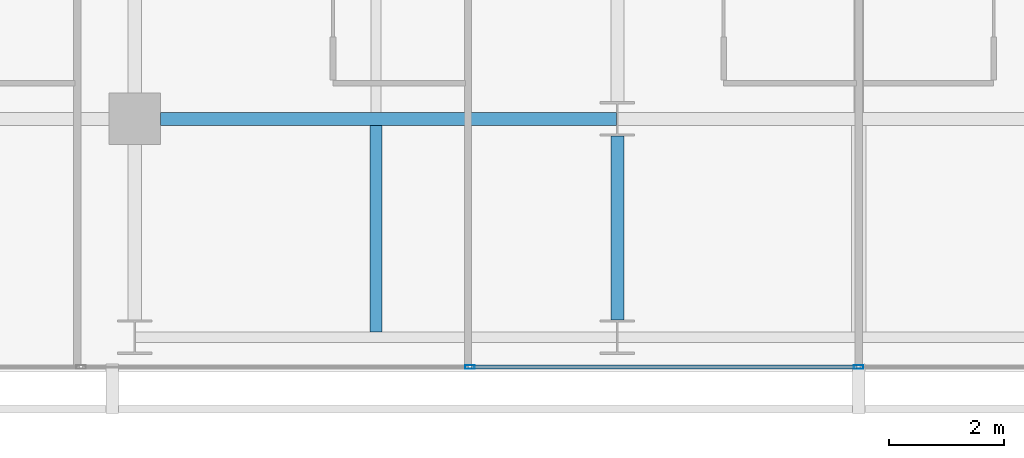
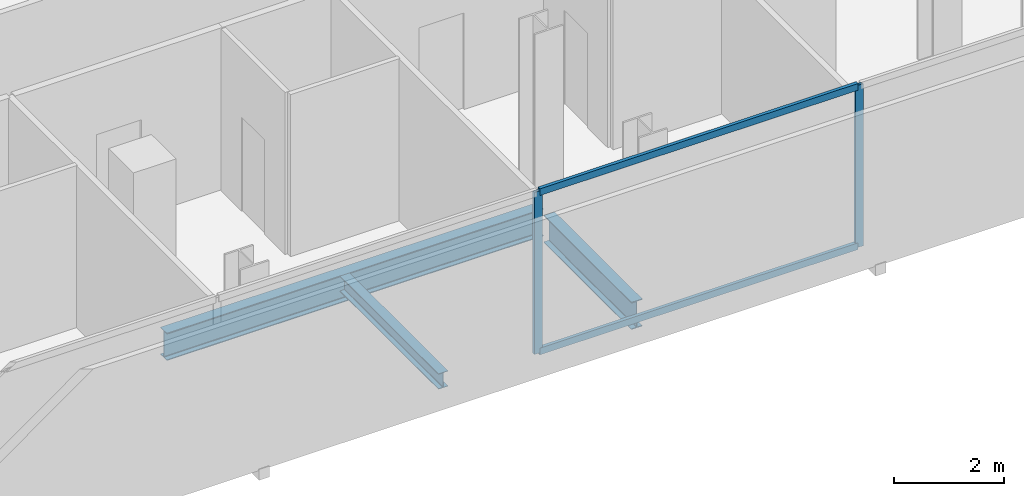
# One storey, part 6 of 33: 4 members, 3 beams, 1 element without a shape of its own.
"""IFC4 building model written with IfcOpenShell, lengths in metres."""

from ifc_helpers import new_model, si_unit, direction, frame, origin, origin_2d, place, context, subcontext, project, spatial, hollow_rectangle, i_section, extrude, material, layer, layer_set, material_profile, profile_set, type_object, element, aggregate, save


model = new_model("IFC4")

# Units and contexts
model_context = context("Model", 3, precision=1e-05, world=origin(), true_north=direction((0.0, 1.0)))
body_context = subcontext(model_context, "Body", "Model", "MODEL_VIEW")
ifc_project = project(units=[si_unit("LENGTHUNIT", "METRE"), si_unit("AREAUNIT", "SQUARE_METRE"), si_unit("VOLUMEUNIT", "CUBIC_METRE"), si_unit("PLANEANGLEUNIT", "RADIAN"), si_unit("MASSUNIT", "GRAM", prefix="KILO")], contexts=[model_context])

# Site, building, storey
site_placement = place(None, origin())
site = spatial("IfcSite", under=ifc_project, at=site_placement, CompositionType="ELEMENT")
building_placement = place(site_placement, origin())
building = spatial("IfcBuilding", under=site, at=building_placement, Name="Maruvema Waterfront Hotel and Observation Tower", CompositionType="ELEMENT")
storey_placement = place(building_placement, frame((0.0, 0.0, 150.5)))
storey = spatial("IfcBuildingStorey", under=building, at=storey_placement, Name="L36", CompositionType="ELEMENT", Elevation=150.5)

# Curtain wall, members
ifc_material_1 = material(Name="Anodised bronze aluminium and solar-control low-E IGU", Category="aluminium")
ifc_layer = layer(ifc_material_1, 0.159912109375, Name="Zone 2 Amber Inner Thermal Curtain Wall System CW-03")
ifc_layer_set = layer_set([ifc_layer], Name="Anodised bronze aluminium and solar-control low-E IGU")
curtain_wall_type = type_object("IfcCurtainWallType", Name="Zone 2 Amber Inner Thermal Curtain Wall System CW-03", PredefinedType="USERDEFINED", material=ifc_layer_set)
curtain_wall_placement = place(storey_placement, origin())
curtain_wall = element("IfcCurtainWall", 1, at=curtain_wall_placement, inside=storey, type_object=curtain_wall_type, Name="L36 Curtain Wall CW-L36-S", ObjectType="UNITISED CURTAIN WALL", PredefinedType="USERDEFINED")
ifc_material_2 = material(Name="Anodised architectural bronze aluminium", Category="aluminium")
ifc_material_profile_1 = material_profile(ifc_material_2, hollow_rectangle(XDim=0.070068359375, YDim=0.14990234375, WallThickness=0.00390625, at=origin_2d()), Name="ALU-T70x150")
ifc_profile_set_1 = profile_set([ifc_material_profile_1], Name="Anodised architectural bronze aluminium")
member_type_1 = type_object("IfcMemberType", Name="Curtain Wall Horizontal Transom ALU-T70x150", PredefinedType="USERDEFINED", material=ifc_profile_set_1)
member_1_placement = place(storey_placement, frame((31.063232421875, 4.679931640625, 0.030029296875), z_axis=(1.0, 0.0, 0.0), x_axis=(0.0, 1.0, 0.0)))
member_1 = element("IfcMember", 2, at=member_1_placement, type_object=member_type_1, Name="CW-03 transom 3.1", ObjectType="TRANSOM", PredefinedType="USERDEFINED", context=body_context, shape_type="SweptSolid", body=[
    extrude(hollow_rectangle(XDim=0.070068359375, YDim=0.14990234375, WallThickness=0.00390625, at=origin_2d()), origin(), (0.0, 0.0, 1.0), 6.706787109375),
])
member_2_placement = place(storey_placement, frame((31.063232421875, 4.679931640625, 3.580078125), z_axis=(1.0, 0.0, 0.0), x_axis=(0.0, 1.0, 0.0)))
member_2 = element("IfcMember", 3, at=member_2_placement, type_object=member_type_1, Name="CW-03 transom 3.2", ObjectType="TRANSOM", PredefinedType="USERDEFINED", context=body_context, shape_type="SweptSolid", body=[
    extrude(hollow_rectangle(XDim=0.070068359375, YDim=0.14990234375, WallThickness=0.00390625, at=origin_2d()), origin(), (0.0, 0.0, 1.0), 6.706787109375),
])
ifc_material_3 = material(Name="Anodised architectural bronze aluminium", Category="aluminium")
ifc_material_profile_2 = material_profile(ifc_material_3, hollow_rectangle(XDim=0.06494140625, YDim=0.1650390625, WallThickness=0.00390625, at=origin_2d()), Name="ALU-M65x165")
ifc_profile_set_2 = profile_set([ifc_material_profile_2], Name="Anodised architectural bronze aluminium")
member_type_2 = type_object("IfcMemberType", Name="Curtain Wall Primary Mullion ALU-M65x165", PredefinedType="MULLION", material=ifc_profile_set_2)
member_3_placement = place(storey_placement, frame((31.033447265625, 4.679931640625, 0.0), z_axis=(0.0, 0.0, 1.0), x_axis=(0.0, 1.0, 0.0)))
member_3 = element("IfcMember", 4, at=member_3_placement, type_object=member_type_2, Name="CW-03 mullion 3", PredefinedType="MULLION", context=body_context, shape_type="SweptSolid", body=[
    extrude(hollow_rectangle(XDim=0.06494140625, YDim=0.1650390625, WallThickness=0.00390625, at=origin_2d()), origin(), (0.0, 0.0, 1.0), 3.610107421875),
])
member_4_placement = place(storey_placement, frame((37.800048828125, 4.679931640625, 0.0), z_axis=(0.0, 0.0, 1.0), x_axis=(0.0, 1.0, 0.0)))
member_4 = element("IfcMember", 5, at=member_4_placement, type_object=member_type_2, Name="CW-03 mullion 4", PredefinedType="MULLION", context=body_context, shape_type="SweptSolid", body=[
    extrude(hollow_rectangle(XDim=0.06494140625, YDim=0.1650390625, WallThickness=0.00390625, at=origin_2d()), origin(), (0.0, 0.0, 1.0), 3.610107421875),
])
aggregate(curtain_wall, [member_3, member_4, member_1, member_2])

# Beams
ifc_material_4 = material(Name="Steel ASTM A572 Grade 50", Category="steel")
ifc_material_profile_3 = material_profile(ifc_material_4, i_section(OverallWidth=0.22900390625, OverallDepth=0.612060546875, WebThickness=0.011962890625, FlangeThickness=0.01953125, FilletRadius=0.01806640625, at=origin_2d()), Name="W610x125.0")
ifc_profile_set_3 = profile_set([ifc_material_profile_3], Name="Steel ASTM A572 Grade 50")
beam_type_1 = type_object("IfcBeamType", Name="Primary Floor Girder W610x125.0", PredefinedType="BEAM", material=ifc_profile_set_3)
beam_1_placement = place(storey_placement, frame((25.64990234375, 9.0, -0.5458984375), z_axis=(1.0, 0.0, 0.0), x_axis=(0.0, 1.0, 0.0)))
element("IfcBeam", 6, at=beam_1_placement, inside=storey, type_object=beam_type_1, Name="L36 Floor Girder EW-06", PredefinedType="BEAM", context=body_context, shape_type="SweptSolid", body=[
    extrude(i_section(OverallWidth=0.22900390625, OverallDepth=0.612060546875, WebThickness=0.011962890625, FlangeThickness=0.01953125, FilletRadius=0.01806640625, at=origin_2d()), origin(), (0.0, 0.0, 1.0), 7.9375),
])
beam_2_placement = place(storey_placement, frame((33.60009765625, 5.5, -0.5458984375), z_axis=(0.0, 1.0, 0.0), x_axis=(-1.0, 0.0, 0.0)))
element("IfcBeam", 7, at=beam_2_placement, inside=storey, type_object=beam_type_1, Name="L36 Floor Girder NS-14", PredefinedType="BEAM", context=body_context, shape_type="SweptSolid", body=[
    extrude(i_section(OverallWidth=0.22900390625, OverallDepth=0.612060546875, WebThickness=0.011962890625, FlangeThickness=0.01953125, FilletRadius=0.01806640625, at=origin_2d()), origin(), (0.0, 0.0, 1.0), 3.199951171875),
])
ifc_material_5 = material(Name="Steel ASTM A572 Grade 50", Category="steel")
ifc_material_profile_4 = material_profile(ifc_material_5, i_section(OverallWidth=0.202880859375, OverallDepth=0.346923828125, WebThickness=0.0078125, FlangeThickness=0.013427734375, FilletRadius=0.014892578125, at=origin_2d()), Name="W360x64.0")
ifc_profile_set_4 = profile_set([ifc_material_profile_4], Name="Steel ASTM A572 Grade 50")
beam_type_2 = type_object("IfcBeamType", Name="Secondary Floor Joist W360x64.0", PredefinedType="JOIST", material=ifc_profile_set_4)
beam_3_placement = place(storey_placement, frame((29.39990234375, 5.29052734375, -0.41357421875), z_axis=(0.0, 1.0, 0.0), x_axis=(-1.0, 0.0, 0.0)))
element("IfcBeam", 8, at=beam_3_placement, inside=storey, type_object=beam_type_2, Name="L36 Secondary Floor Joist JS-05", PredefinedType="JOIST", context=body_context, shape_type="SweptSolid", body=[
    extrude(i_section(OverallWidth=0.202880859375, OverallDepth=0.346923828125, WebThickness=0.0078125, FlangeThickness=0.013427734375, FilletRadius=0.014892578125, at=origin_2d()), origin(), (0.0, 0.0, 1.0), 3.594970703125),
])

save(model, "model.ifc")
